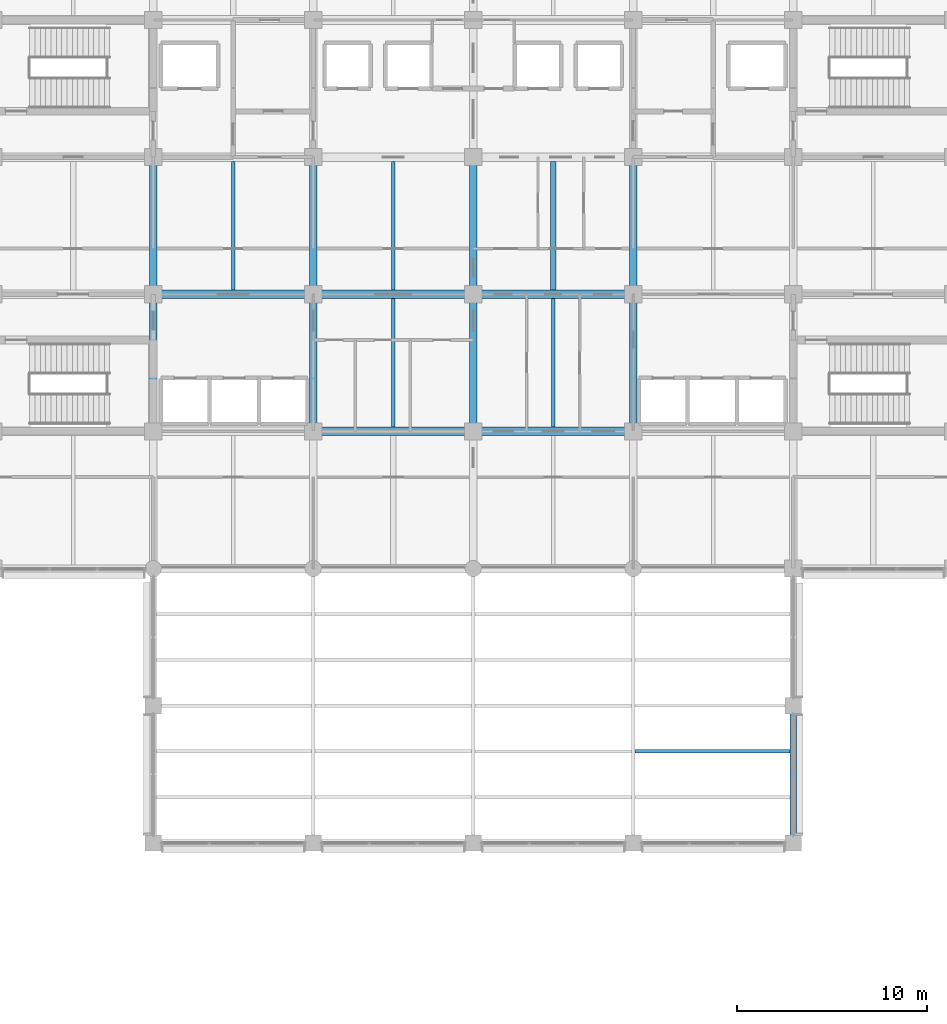
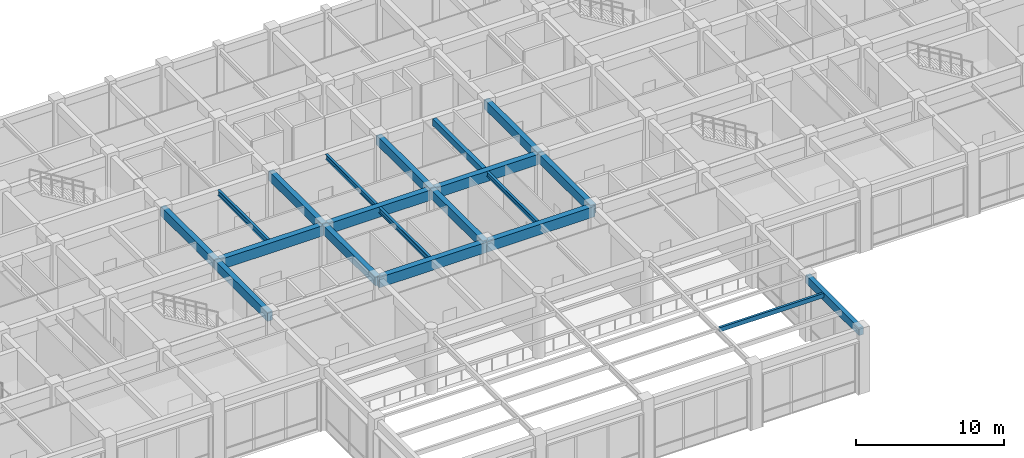
# One storey, part 11 of 58: 19 beams, 1 member.
"""IFC4 building model written with IfcOpenShell, lengths in metres."""

from ifc_helpers import new_model, si_unit, direction, frame, origin, origin_2d, place, context, subcontext, project, spatial, rectangle, i_section, extrude, material, material_profile, profile_set, type_object, element, save


model = new_model("IFC4")

# Units and contexts
model_context = context("Model", 3, precision=1e-05, world=origin(), true_north=direction((0.0, 1.0)))
body_context = subcontext(model_context, "Body", "Model", "MODEL_VIEW")
ifc_project = project(units=[si_unit("LENGTHUNIT", "METRE"), si_unit("AREAUNIT", "SQUARE_METRE"), si_unit("VOLUMEUNIT", "CUBIC_METRE"), si_unit("PLANEANGLEUNIT", "RADIAN"), si_unit("MASSUNIT", "GRAM", prefix="KILO")], contexts=[model_context])

# Site, building, storey
site_placement = place(None, origin())
site = spatial("IfcSite", under=ifc_project, at=site_placement, CompositionType="ELEMENT")
building_placement = place(site_placement, origin())
building = spatial("IfcBuilding", under=site, at=building_placement, Name="Chengyuan Square Courthouse", CompositionType="ELEMENT")
storey_placement = place(building_placement, frame((0.0, 0.0, 16.199951171875)))
storey = spatial("IfcBuildingStorey", under=building, at=storey_placement, Name="L04", CompositionType="ELEMENT", Elevation=16.199951171875)

# Beams
ifc_material_1 = material(Name="Concrete C40", Category="concrete")
ifc_material_profile_1 = material_profile(ifc_material_1, rectangle(XDim=0.449951171875, YDim=0.85009765625, at=origin_2d()), Name="RC-BM-450x850")
ifc_profile_set_1 = profile_set([ifc_material_profile_1], Name="Concrete C40")
beam_type_1 = type_object("IfcBeamType", Name="BM-01", PredefinedType="USERDEFINED", material=ifc_profile_set_1)
for number, where, z_axis, x_axis, name in (
    (1, (75.60009765625, 86.39990234375, 4.695068359375), (1.0, 0.0, 0.0), (0.0, 1.0, 0.0), "Girder BM-L04-2890"),
    (2, (84.0, 86.39990234375, 4.695068359375), (1.0, 0.0, 0.0), (0.0, 1.0, 0.0), "Girder BM-L04-2891"),
):
    element("IfcBeam", number, at=place(storey_placement, frame(where, z_axis=z_axis, x_axis=x_axis)), inside=storey, type_object=beam_type_1, Name=name, ObjectType="GIRDER", PredefinedType="USERDEFINED", context=body_context, shape_type="SweptSolid", body=[
        extrude(rectangle(XDim=0.449951171875, YDim=0.85009765625, at=origin_2d()), origin(), (0.0, 0.0, 1.0), 8.39990234375),
    ])
beam_1_placement = place(storey_placement, frame((67.199951171875, 93.60009765625, 4.695068359375), z_axis=(1.0, 0.0, 0.0), x_axis=(0.0, 1.0, 0.0)))
element("IfcBeam", 3, at=beam_1_placement, inside=storey, type_object=beam_type_1, Name="Girder BM-L04-2909", ObjectType="GIRDER", PredefinedType="USERDEFINED", context=body_context, shape_type="SweptSolid", body=[
    extrude(rectangle(XDim=0.449951171875, YDim=0.85009765625, at=origin_2d()), origin(), (0.0, 0.0, 1.0), 8.400146484375),
])
for number, where, z_axis, x_axis, name in (
    (4, (75.60009765625, 93.60009765625, 4.695068359375), (1.0, 0.0, 0.0), (0.0, 1.0, 0.0), "Girder BM-L04-2910"),
    (5, (84.0, 93.60009765625, 4.695068359375), (1.0, 0.0, 0.0), (0.0, 1.0, 0.0), "Girder BM-L04-2911"),
):
    element("IfcBeam", number, at=place(storey_placement, frame(where, z_axis=z_axis, x_axis=x_axis)), inside=storey, type_object=beam_type_1, Name=name, ObjectType="GIRDER", PredefinedType="USERDEFINED", context=body_context, shape_type="SweptSolid", body=[
        extrude(rectangle(XDim=0.449951171875, YDim=0.85009765625, at=origin_2d()), origin(), (0.0, 0.0, 1.0), 8.39990234375),
    ])
ifc_material_profile_2 = material_profile(ifc_material_1, rectangle(XDim=0.39990234375, YDim=0.75, at=origin_2d()), Name="RC-BM-400x750")
ifc_profile_set_2 = profile_set([ifc_material_profile_2], Name="Concrete C40")
beam_type_2 = type_object("IfcBeamType", Name="BM-02", PredefinedType="USERDEFINED", material=ifc_profile_set_2)
beam_2_placement = place(storey_placement, frame((67.199951171875, 86.39990234375, 4.7451171875), z_axis=(0.0, 1.0, 0.0), x_axis=(-1.0, 0.0, 0.0)))
element("IfcBeam", 6, at=beam_2_placement, inside=storey, type_object=beam_type_2, Name="Girder BM-L04-3018", ObjectType="GIRDER", PredefinedType="USERDEFINED", context=body_context, shape_type="SweptSolid", body=[
    extrude(rectangle(XDim=0.39990234375, YDim=0.75, at=origin_2d()), origin(), (0.0, 0.0, 1.0), 7.2001953125),
])
beam_3_placement = place(storey_placement, frame((67.199951171875, 93.60009765625, 4.7451171875), z_axis=(0.0, 1.0, 0.0), x_axis=(-1.0, 0.0, 0.0)))
element("IfcBeam", 7, at=beam_3_placement, inside=storey, type_object=beam_type_2, Name="Girder BM-L04-3019", ObjectType="GIRDER", PredefinedType="USERDEFINED", context=body_context, shape_type="SweptSolid", body=[
    extrude(rectangle(XDim=0.39990234375, YDim=0.75, at=origin_2d()), origin(), (0.0, 0.0, 1.0), 7.199951171875),
])
beam_4_placement = place(storey_placement, frame((75.60009765625, 86.39990234375, 4.7451171875), z_axis=(0.0, 1.0, 0.0), x_axis=(-1.0, 0.0, 0.0)))
element("IfcBeam", 8, at=beam_4_placement, inside=storey, type_object=beam_type_2, Name="Girder BM-L04-3024", ObjectType="GIRDER", PredefinedType="USERDEFINED", context=body_context, shape_type="SweptSolid", body=[
    extrude(rectangle(XDim=0.39990234375, YDim=0.75, at=origin_2d()), origin(), (0.0, 0.0, 1.0), 7.2001953125),
])
beam_5_placement = place(storey_placement, frame((75.60009765625, 93.60009765625, 4.7451171875), z_axis=(0.0, 1.0, 0.0), x_axis=(-1.0, 0.0, 0.0)))
element("IfcBeam", 9, at=beam_5_placement, inside=storey, type_object=beam_type_2, Name="Girder BM-L04-3025", ObjectType="GIRDER", PredefinedType="USERDEFINED", context=body_context, shape_type="SweptSolid", body=[
    extrude(rectangle(XDim=0.39990234375, YDim=0.75, at=origin_2d()), origin(), (0.0, 0.0, 1.0), 7.199951171875),
])
beam_6_placement = place(storey_placement, frame((84.0, 86.39990234375, 4.7451171875), z_axis=(0.0, 1.0, 0.0), x_axis=(-1.0, 0.0, 0.0)))
element("IfcBeam", 10, at=beam_6_placement, inside=storey, type_object=beam_type_2, Name="Girder BM-L04-3030", ObjectType="GIRDER", PredefinedType="USERDEFINED", context=body_context, shape_type="SweptSolid", body=[
    extrude(rectangle(XDim=0.39990234375, YDim=0.75, at=origin_2d()), origin(), (0.0, 0.0, 1.0), 7.2001953125),
])
beam_7_placement = place(storey_placement, frame((84.0, 93.60009765625, 4.7451171875), z_axis=(0.0, 1.0, 0.0), x_axis=(-1.0, 0.0, 0.0)))
element("IfcBeam", 11, at=beam_7_placement, inside=storey, type_object=beam_type_2, Name="Girder BM-L04-3031", ObjectType="GIRDER", PredefinedType="USERDEFINED", context=body_context, shape_type="SweptSolid", body=[
    extrude(rectangle(XDim=0.39990234375, YDim=0.75, at=origin_2d()), origin(), (0.0, 0.0, 1.0), 7.199951171875),
])
beam_8_placement = place(storey_placement, frame((92.39990234375, 86.39990234375, 4.7451171875), z_axis=(0.0, 1.0, 0.0), x_axis=(-1.0, 0.0, 0.0)))
element("IfcBeam", 12, at=beam_8_placement, inside=storey, type_object=beam_type_2, Name="Girder BM-L04-3036", ObjectType="GIRDER", PredefinedType="USERDEFINED", context=body_context, shape_type="SweptSolid", body=[
    extrude(rectangle(XDim=0.39990234375, YDim=0.75, at=origin_2d()), origin(), (0.0, 0.0, 1.0), 7.2001953125),
])
beam_9_placement = place(storey_placement, frame((92.39990234375, 93.60009765625, 4.7451171875), z_axis=(0.0, 1.0, 0.0), x_axis=(-1.0, 0.0, 0.0)))
element("IfcBeam", 13, at=beam_9_placement, inside=storey, type_object=beam_type_2, Name="Girder BM-L04-3037", ObjectType="GIRDER", PredefinedType="USERDEFINED", context=body_context, shape_type="SweptSolid", body=[
    extrude(rectangle(XDim=0.39990234375, YDim=0.75, at=origin_2d()), origin(), (0.0, 0.0, 1.0), 7.199951171875),
])
ifc_material_profile_3 = material_profile(ifc_material_1, rectangle(XDim=0.35009765625, YDim=0.64990234375, at=origin_2d()), Name="RC-BM-350x650")
ifc_profile_set_3 = profile_set([ifc_material_profile_3], Name="Concrete C40")
beam_type_3 = type_object("IfcBeamType", Name="BM-03", PredefinedType="SPANDREL", material=ifc_profile_set_3)
beam_10_placement = place(storey_placement, frame((100.800048828125, 64.800048828125, 4.85498046875), z_axis=(0.0, 1.0, 0.0), x_axis=(-1.0, 0.0, 0.0)))
element("IfcBeam", 14, at=beam_10_placement, inside=storey, type_object=beam_type_3, Name="Girder BM-L04-3040", PredefinedType="SPANDREL", context=body_context, shape_type="SweptSolid", body=[
    extrude(rectangle(XDim=0.35009765625, YDim=0.64990234375, at=origin_2d()), origin(), (0.0, 0.0, 1.0), 7.199951171875),
])
ifc_material_profile_4 = material_profile(ifc_material_1, rectangle(XDim=0.300048828125, YDim=0.550048828125, at=origin_2d()), Name="RC-BM-300x550")
ifc_profile_set_4 = profile_set([ifc_material_profile_4], Name="Concrete C40")
beam_type_4 = type_object("IfcBeamType", Name="BM-04", PredefinedType="BEAM", material=ifc_profile_set_4)
beam_11_placement = place(storey_placement, frame((88.199951171875, 93.824951171875, 4.844970703125), z_axis=(0.0, 1.0, 0.0), x_axis=(-1.0, 0.0, 0.0)))
element("IfcBeam", 15, at=beam_11_placement, inside=storey, type_object=beam_type_4, Name="Secondary Floor Beam SBM-L04-3146", PredefinedType="BEAM", context=body_context, shape_type="SweptSolid", body=[
    extrude(rectangle(XDim=0.300048828125, YDim=0.550048828125, at=origin_2d()), origin(), (0.0, 0.0, 1.0), 6.75),
])
ifc_material_2 = material(Name="Steel Q355B", Category="steel")
ifc_material_profile_5 = material_profile(ifc_material_2, i_section(OverallWidth=0.199951171875, OverallDepth=0.449951171875, WebThickness=0.009033203125, FlangeThickness=0.013916015625, at=origin_2d()), Name="HN 450x200x9x14")
ifc_profile_set_5 = profile_set([ifc_material_profile_5], Name="Steel Q355B")
beam_type_5 = type_object("IfcBeamType", Name="BM-06", PredefinedType="BEAM", material=ifc_profile_set_5)
for number, where, z_axis, x_axis, name in (
    (16, (71.39990234375, 93.824951171875, 4.89501953125), (0.0, 1.0, 0.0), (-1.0, 0.0, 0.0), "Secondary Floor Beam SBM-L04-3137"),
    (17, (79.800048828125, 86.625, 4.89501953125), (0.0, 1.0, 0.0), (-1.0, 0.0, 0.0), "Secondary Floor Beam SBM-L04-3141"),
):
    element("IfcBeam", number, at=place(storey_placement, frame(where, z_axis=z_axis, x_axis=x_axis)), inside=storey, type_object=beam_type_5, Name=name, PredefinedType="BEAM", context=body_context, shape_type="SweptSolid", body=[
        extrude(i_section(OverallWidth=0.199951171875, OverallDepth=0.449951171875, WebThickness=0.009033203125, FlangeThickness=0.013916015625, at=origin_2d()), origin(), (0.0, 0.0, 1.0), 6.75),
    ])
ifc_material_profile_6 = material_profile(ifc_material_2, i_section(OverallWidth=0.199951171875, OverallDepth=0.39990234375, WebThickness=0.008056640625, FlangeThickness=0.012939453125, at=origin_2d()), Name="HN 400x200x8x13")
ifc_profile_set_6 = profile_set([ifc_material_profile_6], Name="Steel Q355B")
beam_type_6 = type_object("IfcBeamType", Name="BM-07", PredefinedType="BEAM", material=ifc_profile_set_6)
for number, where, z_axis, x_axis, name in (
    (18, (79.800048828125, 93.824951171875, 4.920166015625), (0.0, 1.0, 0.0), (-1.0, 0.0, 0.0), "Secondary Floor Beam SBM-L04-3142"),
    (19, (88.199951171875, 86.625, 4.920166015625), (0.0, 1.0, 0.0), (-1.0, 0.0, 0.0), "Secondary Floor Beam SBM-L04-3145"),
):
    element("IfcBeam", number, at=place(storey_placement, frame(where, z_axis=z_axis, x_axis=x_axis)), inside=storey, type_object=beam_type_6, Name=name, PredefinedType="BEAM", context=body_context, shape_type="SweptSolid", body=[
        extrude(i_section(OverallWidth=0.199951171875, OverallDepth=0.39990234375, WebThickness=0.008056640625, FlangeThickness=0.012939453125, at=origin_2d()), origin(), (0.0, 0.0, 1.0), 6.75),
    ])

# Member
ifc_material_3 = material(Name="Glulam TCt28", Category="wood")
ifc_material_profile_7 = material_profile(ifc_material_3, rectangle(XDim=0.179931640625, YDim=0.360107421875, at=origin_2d()), Name="GL-PRL-180x360")
ifc_profile_set_7 = profile_set([ifc_material_profile_7], Name="Glulam TCt28")
member_type = type_object("IfcMemberType", Name="PRL-01", PredefinedType="PURLIN", material=ifc_profile_set_7)
member_placement = place(storey_placement, frame((92.5, 69.60009765625, 5.0), z_axis=(1.0, 0.0, 0.0), x_axis=(0.0, 1.0, 0.0)))
element("IfcMember", 20, at=member_placement, inside=storey, type_object=member_type, Name="Glulam Skylight Acoustic Purlin PRL-SKY-17", PredefinedType="PURLIN", context=body_context, shape_type="SweptSolid", body=[
    extrude(rectangle(XDim=0.179931640625, YDim=0.360107421875, at=origin_2d()), origin(), (0.0, 0.0, 1.0), 8.125),
])

save(model, "model.ifc")
